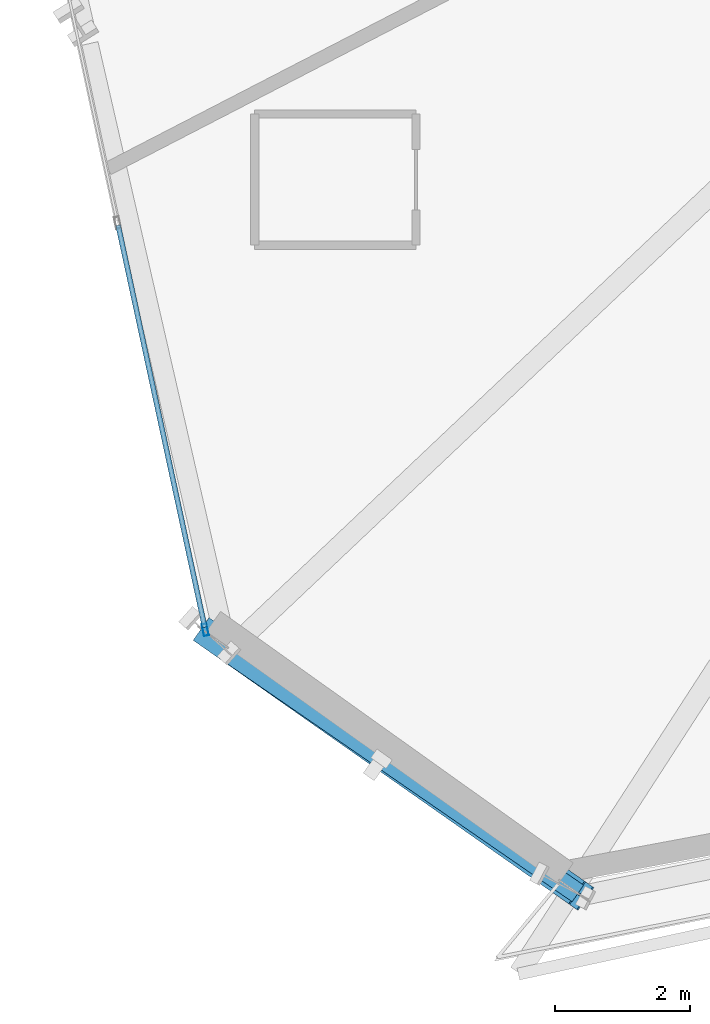
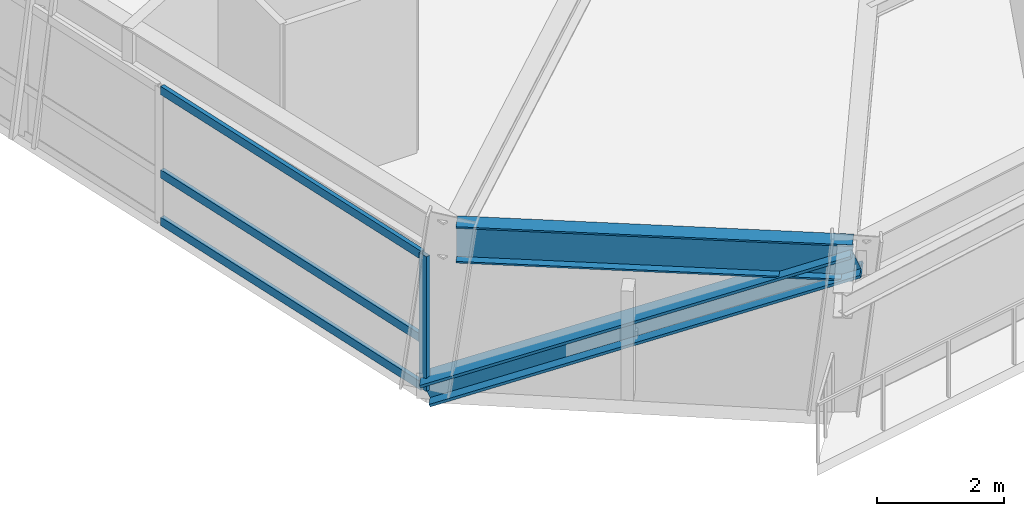
# One storey, part 2 of 24: 5 members, 1 beam, 1 element without a shape of its own.
"""IFC4 building model written with IfcOpenShell, lengths in metres."""

from ifc_helpers import new_model, si_unit, direction, frame, origin, origin_2d, place, context, subcontext, project, spatial, hollow_rectangle, i_section, extrude, source, transform, mapped, material, material_profile, profile_set, type_object, element, aggregate, save


model = new_model("IFC4")

# Units and contexts
model_context = context("Model", 3, precision=1e-05, world=origin(), true_north=direction((0.0, 1.0)))
body_context = subcontext(model_context, "Body", "Model", "MODEL_VIEW")
ifc_project = project(units=[si_unit("LENGTHUNIT", "METRE"), si_unit("AREAUNIT", "SQUARE_METRE"), si_unit("VOLUMEUNIT", "CUBIC_METRE"), si_unit("PLANEANGLEUNIT", "RADIAN"), si_unit("MASSUNIT", "GRAM", prefix="KILO")], contexts=[model_context])

# Site, building, storey
site_placement = place(None, origin())
site = spatial("IfcSite", under=ifc_project, at=site_placement, CompositionType="ELEMENT")
building_placement = place(site_placement, origin())
building = spatial("IfcBuilding", under=site, at=building_placement, Name="Olszyna Solenne Hotel", CompositionType="ELEMENT")
storey_placement = place(building_placement, frame((0.0, 0.0, 29.300048828125)))
storey = spatial("IfcBuildingStorey", under=building, at=storey_placement, Name="L06", CompositionType="ELEMENT", Elevation=29.300048828125)

# Beam
ifc_material_1 = material(Name="Steel S355J2", Category="steel")
ifc_material_profile_1 = material_profile(ifc_material_1, i_section(OverallWidth=0.300048828125, OverallDepth=0.699951171875, WebThickness=0.01708984375, FlangeThickness=0.031982421875, at=origin_2d()), Name="HEB 700", Category="load-bearing")
ifc_profile_set_1 = profile_set([ifc_material_profile_1], Name="Steel S355J2")
beam_type = type_object("IfcBeamType", Name="BM-S1", PredefinedType="BEAM", material=ifc_profile_set_1)
shared_shape_1 = source(origin(), body_context, "Body", "SweptSolid", [
    extrude(i_section(OverallWidth=0.300048828125, OverallDepth=0.699951171875, WebThickness=0.01708984375, FlangeThickness=0.031982421875, at=origin_2d()), origin(), (0.0, 0.0, 1.0), 6.267822265625),
])
beam_placement = place(storey_placement, frame((19.177001953125, 8.7138671875, 2.949951171875), z_axis=(0.823136192469, -0.567844000275, 0.0), x_axis=(0.567844000275, 0.823136192469, 0.0)))
element("IfcBeam", 1, at=beam_placement, inside=storey, type_object=beam_type, Name="Perimeter spandrel beam BM-S1 B-L06-0209", PredefinedType="BEAM", context=body_context, shape_type="MappedRepresentation", body=[
    mapped(shared_shape_1, transform((0.0, 0.0, 0.0), x_axis=(1.0, 0.0, 0.0), y_axis=(0.0, 1.0, 0.0), z_axis=(0.0, 0.0, 1.0), scale=1.0)),
])

# Member
ifc_material_2 = material(Name="Steel S460M", Category="steel")
ifc_material_profile_2 = material_profile(ifc_material_2, i_section(OverallWidth=0.412109375, OverallDepth=0.43505859375, WebThickness=0.031494140625, FlangeThickness=0.050048828125, at=origin_2d()), Name="HD 400x463", Category="load-bearing")
ifc_profile_set_2 = profile_set([ifc_material_profile_2], Name="Steel S460M")
member_type_1 = type_object("IfcMemberType", Name="BR-T1", PredefinedType="BRACE", material=ifc_profile_set_2)
shared_shape_2 = source(origin(), body_context, "Body", "SweptSolid", [
    extrude(i_section(OverallWidth=0.412109375, OverallDepth=0.43505859375, WebThickness=0.031494140625, FlangeThickness=0.050048828125, at=origin_2d()), origin(), (0.0, 0.0, 1.0), 7.410888671875),
])
member_1_placement = place(storey_placement, frame((18.80517578125, 9.03759765625, 0.010009765625), z_axis=(0.753011865229, -0.528505090291, 0.391989158473), x_axis=(0.574480889978, 0.818517994335, 0.0)))
element("IfcMember", 2, at=member_1_placement, inside=storey, type_object=member_type_1, Name="Perimeter braced-tube diagonal BR-T1 BR-L06-3", PredefinedType="BRACE", context=body_context, shape_type="MappedRepresentation", body=[
    mapped(shared_shape_2, transform((0.0, 0.0, 0.0), x_axis=(1.0, 0.0, 0.0), y_axis=(0.0, 1.0, 0.0), z_axis=(0.0, 0.0, 1.0), scale=1.0)),
])

# Curtain wall, members
ifc_material_3 = material(Name="Anodised bronze aluminium", Category="aluminium")
curtain_wall_type = type_object("IfcCurtainWallType", Name="CW-SYS-2", PredefinedType="NOTDEFINED", material=ifc_material_3)
curtain_wall_placement = place(storey_placement, origin())
curtain_wall = element("IfcCurtainWall", 3, at=curtain_wall_placement, inside=storey, type_object=curtain_wall_type, Name="Unitised curtain wall CW-SYS-2 CW-L06-01", PredefinedType="NOTDEFINED")
ifc_material_profile_3 = material_profile(ifc_material_3, hollow_rectangle(XDim=0.074951171875, YDim=0.179931640625, WallThickness=0.00439453125, at=origin_2d()), Name="MULL 180x75x4.5", Category="load-bearing")
ifc_profile_set_3 = profile_set([ifc_material_profile_3], Name="Anodised bronze aluminium")
member_type_2 = type_object("IfcMemberType", Name="CW-M2", PredefinedType="MULLION", material=ifc_profile_set_3)
shared_shape_3 = source(origin(), body_context, "Body", "SweptSolid", [
    extrude(hollow_rectangle(XDim=0.074951171875, YDim=0.179931640625, WallThickness=0.00439453125, at=origin_2d()), origin(), (0.0, 0.0, 1.0), 2.592041015625),
])
member_2_placement = place(storey_placement, frame((18.79736328125, 9.07421875, 0.0), z_axis=(0.0, 0.0, 1.0), x_axis=(0.977570252716, 0.21060959381, 0.0)))
member_2 = element("IfcMember", 4, at=member_2_placement, type_object=member_type_2, Name="Curtain-wall mullion CW-M2 CM-L06-01-04", PredefinedType="MULLION", context=body_context, shape_type="MappedRepresentation", body=[
    mapped(shared_shape_3, transform((0.0, 0.0, 0.0), x_axis=(1.0, 0.0, 0.0), y_axis=(0.0, 1.0, 0.0), z_axis=(0.0, 0.0, 1.0), scale=1.0)),
])
ifc_material_profile_4 = material_profile(ifc_material_3, hollow_rectangle(XDim=0.074951171875, YDim=0.159912109375, WallThickness=0.00390625, at=origin_2d()), Name="TRAN 160x75x4", Category="load-bearing")
ifc_profile_set_4 = profile_set([ifc_material_profile_4], Name="Anodised bronze aluminium")
member_type_3 = type_object("IfcMemberType", Name="CW-T1", PredefinedType="USERDEFINED", material=ifc_profile_set_4)
shared_shape_4 = source(origin(), body_context, "Body", "SweptSolid", [
    extrude(hollow_rectangle(XDim=0.074951171875, YDim=0.159912109375, WallThickness=0.00390625, at=origin_2d()), origin(), (0.0, 0.0, 1.0), 6.114501953125),
])
member_3_placement = place(storey_placement, frame((17.501708984375, 15.088134765625, 0.037353515625), z_axis=(0.210584254486, -0.977575711524, 0.0), x_axis=(0.977575711524, 0.210584254486, 0.0)))
member_3 = element("IfcMember", 5, at=member_3_placement, type_object=member_type_3, Name="Curtain-wall transom CW-T1 CT-L06-01-07", ObjectType="TRANSOM", PredefinedType="USERDEFINED", context=body_context, shape_type="MappedRepresentation", body=[
    mapped(shared_shape_4, transform((0.0, 0.0, 0.0), x_axis=(1.0, 0.0, 0.0), y_axis=(0.0, 1.0, 0.0), z_axis=(0.0, 0.0, 1.0), scale=1.0)),
])
member_4_placement = place(storey_placement, frame((17.501708984375, 15.088134765625, 0.949951171875), z_axis=(0.210584254486, -0.977575711524, 0.0), x_axis=(0.977575711524, 0.210584254486, 0.0)))
member_4 = element("IfcMember", 6, at=member_4_placement, type_object=member_type_3, Name="Curtain-wall transom CW-T1 CT-L06-01-08", ObjectType="TRANSOM", PredefinedType="USERDEFINED", context=body_context, shape_type="MappedRepresentation", body=[
    mapped(shared_shape_4, transform((0.0, 0.0, 0.0), x_axis=(1.0, 0.0, 0.0), y_axis=(0.0, 1.0, 0.0), z_axis=(0.0, 0.0, 1.0), scale=1.0)),
])
member_5_placement = place(storey_placement, frame((17.501708984375, 15.088134765625, 2.554443359375), z_axis=(0.210584254486, -0.977575711524, 0.0), x_axis=(0.977575711524, 0.210584254486, 0.0)))
member_5 = element("IfcMember", 7, at=member_5_placement, type_object=member_type_3, Name="Curtain-wall transom CW-T1 CT-L06-01-09", ObjectType="TRANSOM", PredefinedType="USERDEFINED", context=body_context, shape_type="MappedRepresentation", body=[
    mapped(shared_shape_4, transform((0.0, 0.0, 0.0), x_axis=(1.0, 0.0, 0.0), y_axis=(0.0, 1.0, 0.0), z_axis=(0.0, 0.0, 1.0), scale=1.0)),
])
aggregate(curtain_wall, [member_2, member_3, member_4, member_5])

save(model, "model.ifc")
